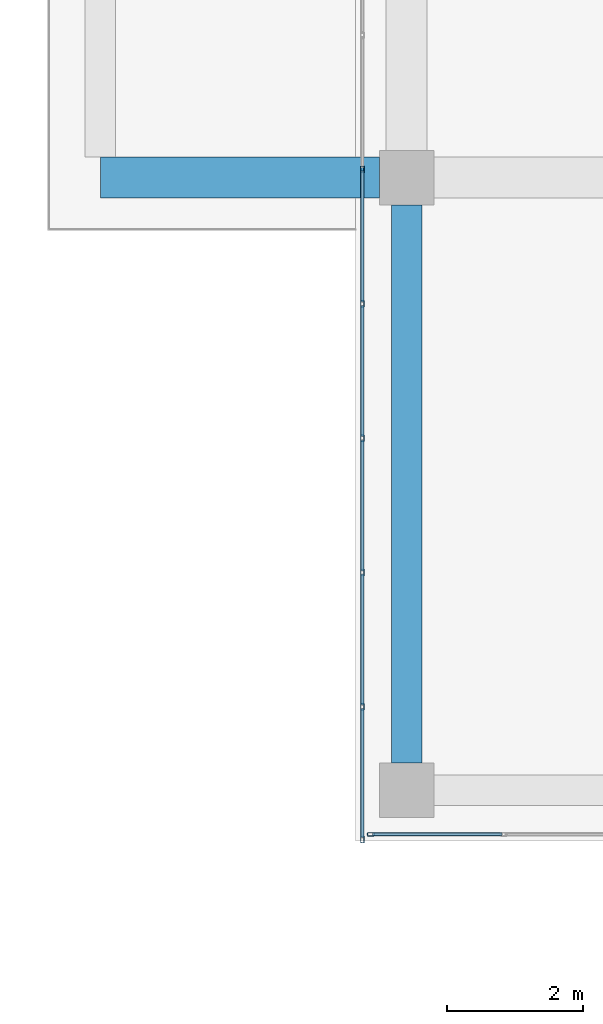
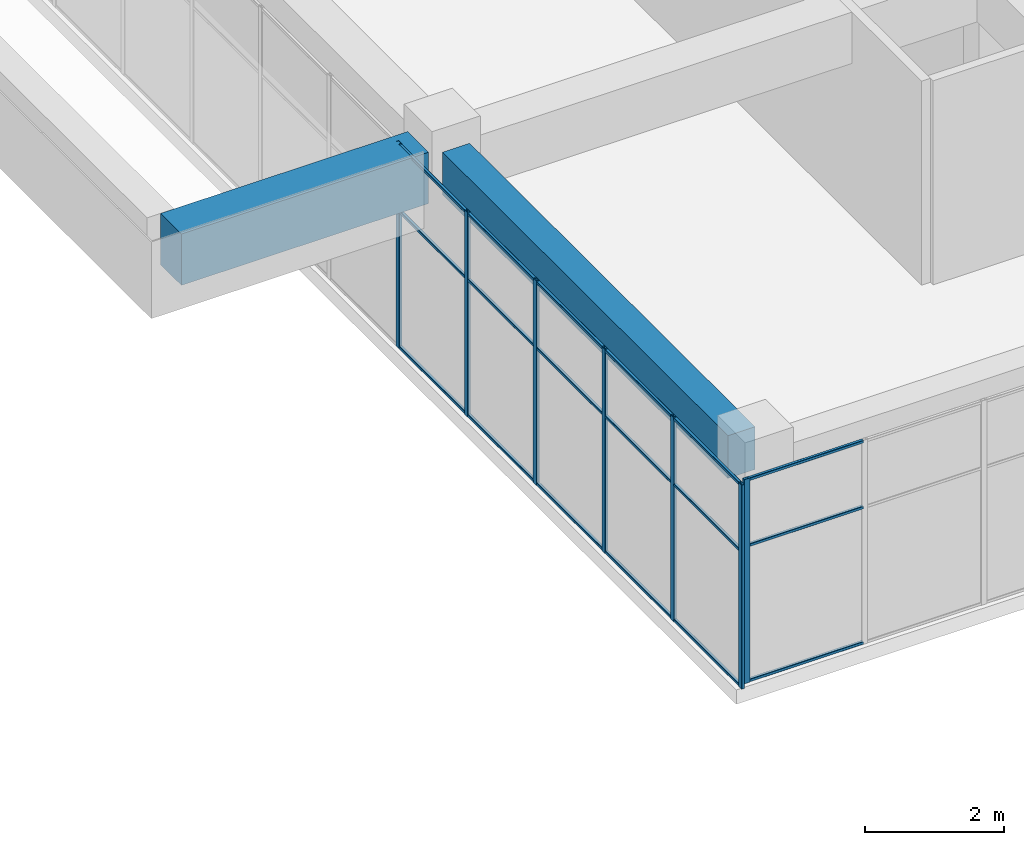
# One storey, part 13 of 52: 25 members, 2 beams, 2 elements without a shape of their own.
"""IFC4 building model written with IfcOpenShell, lengths in metres."""

from ifc_helpers import new_model, si_unit, direction, frame, origin, origin_2d, place, context, subcontext, project, spatial, rectangle, hollow_rectangle, extrude, material, layer, layer_set, material_profile, profile_set, type_object, element, aggregate, save


model = new_model("IFC4")

# Units and contexts
model_context = context("Model", 3, precision=1e-05, world=origin(), true_north=direction((0.0, 1.0)))
body_context = subcontext(model_context, "Body", "Model", "MODEL_VIEW")
ifc_project = project(units=[si_unit("LENGTHUNIT", "METRE"), si_unit("AREAUNIT", "SQUARE_METRE"), si_unit("VOLUMEUNIT", "CUBIC_METRE"), si_unit("PLANEANGLEUNIT", "RADIAN"), si_unit("MASSUNIT", "GRAM", prefix="KILO")], contexts=[model_context])

# Site, building, storey
site_placement = place(None, origin())
site = spatial("IfcSite", under=ifc_project, at=site_placement, CompositionType="ELEMENT")
building_placement = place(site_placement, origin())
building = spatial("IfcBuilding", under=site, at=building_placement, Name="Tuart Plaza Theatre", CompositionType="ELEMENT")
storey_placement = place(building_placement, frame((0.0, 0.0, 25.5)))
storey = spatial("IfcBuildingStorey", under=building, at=storey_placement, Name="L06", CompositionType="ELEMENT", Elevation=25.5)

# Beams
ifc_material_1 = material(Name="Concrete N40 (40 MPa)", Category="concrete")
ifc_material_profile_1 = material_profile(ifc_material_1, rectangle(XDim=0.449951171875, YDim=0.75, at=origin_2d()), Name="BEAM 450x750 Concrete N40 (40 MPa)")
ifc_profile_set_1 = profile_set([ifc_material_profile_1], Name="Concrete N40 (40 MPa)")
beam_type_1 = type_object("IfcBeamType", Name="BEAM 450x750 Concrete N40 (40 MPa)", PredefinedType="BEAM", material=ifc_profile_set_1)
beam_1_placement = place(storey_placement, frame((114.0, 56.39990234375, 3.205078125), z_axis=(0.0, 1.0, 0.0), x_axis=(-1.0, 0.0, 0.0)))
element("IfcBeam", 1, at=beam_1_placement, inside=storey, type_object=beam_type_1, Name="RB207", PredefinedType="BEAM", context=body_context, shape_type="SweptSolid", body=[
    extrude(rectangle(XDim=0.449951171875, YDim=0.75, at=origin_2d()), origin(), (0.0, 0.0, 1.0), 8.2001953125),
])
ifc_material_2 = material(Name="Concrete N40 (40 MPa)", Category="concrete")
ifc_material_profile_2 = material_profile(ifc_material_2, rectangle(XDim=0.60009765625, YDim=0.89990234375, at=origin_2d()), Name="BEAM 600x900 Concrete N40 (40 MPa)")
ifc_profile_set_2 = profile_set([ifc_material_profile_2], Name="Concrete N40 (40 MPa)")
beam_type_2 = type_object("IfcBeamType", Name="BEAM 600x900 Concrete N40 (40 MPa)", PredefinedType="BEAM", material=ifc_profile_set_2)
beam_2_placement = place(storey_placement, frame((109.5, 65.0, 3.1298828125), z_axis=(1.0, 0.0, 0.0), x_axis=(0.0, 1.0, 0.0)))
element("IfcBeam", 2, at=beam_2_placement, inside=storey, type_object=beam_type_2, Name="RB242", PredefinedType="BEAM", context=body_context, shape_type="SweptSolid", body=[
    extrude(rectangle(XDim=0.60009765625, YDim=0.89990234375, at=origin_2d()), origin(), (0.0, 0.0, 1.0), 4.10009765625),
])

# Curtain wall, members
ifc_material_3 = material(Name="Aluminium and glass", Category="aluminium")
ifc_layer = layer(ifc_material_3, 0.10009765625)
ifc_layer_set = layer_set([ifc_layer], Name="CURTAIN WALL 2000 module")
curtain_wall_type = type_object("IfcCurtainWallType", Name="CURTAIN WALL 2000 module", PredefinedType="NOTDEFINED", material=ifc_layer_set)
curtain_wall_1_placement = place(storey_placement, origin())
curtain_wall_1 = element("IfcCurtainWall", 3, at=curtain_wall_1_placement, inside=storey, type_object=curtain_wall_type, Name="CW86", PredefinedType="NOTDEFINED")
ifc_material_4 = material(Name="Aluminium 6063-T5", Category="aluminium")
ifc_material_profile_3 = material_profile(ifc_material_4, hollow_rectangle(XDim=0.050048828125, YDim=0.10009765625, WallThickness=0.00390625, InnerFilletRadius=0.00390625, OuterFilletRadius=0.008056640625, at=origin_2d()), Name="RHS 100x50x4")
ifc_profile_set_3 = profile_set([ifc_material_profile_3], Name="Aluminium 6063-T5")
member_type_1 = type_object("IfcMemberType", Name="MULLION RHS 100x50x4", PredefinedType="MULLION", material=ifc_profile_set_3)
member_1_placement = place(storey_placement, frame((113.35009765625, 65.118408203125, 0.0), z_axis=(0.0, 0.0, 1.0), x_axis=(1.0, 0.0, 0.0)))
member_1 = element("IfcMember", 4, at=member_1_placement, type_object=member_type_1, Name="CW86 mullion 15", PredefinedType="MULLION", context=body_context, shape_type="SweptSolid", body=[
    extrude(hollow_rectangle(XDim=0.050048828125, YDim=0.10009765625, WallThickness=0.00390625, InnerFilletRadius=0.00390625, OuterFilletRadius=0.008056640625, at=origin_2d()), origin(), (0.0, 0.0, 1.0), 3.580078125),
])
member_2_placement = place(storey_placement, frame((113.35009765625, 63.144775390625, 0.0), z_axis=(0.0, 0.0, 1.0), x_axis=(1.0, 0.0, 0.0)))
member_2 = element("IfcMember", 5, at=member_2_placement, type_object=member_type_1, Name="CW86 mullion 16", PredefinedType="MULLION", context=body_context, shape_type="SweptSolid", body=[
    extrude(hollow_rectangle(XDim=0.050048828125, YDim=0.10009765625, WallThickness=0.00390625, InnerFilletRadius=0.00390625, OuterFilletRadius=0.008056640625, at=origin_2d()), origin(), (0.0, 0.0, 1.0), 3.580078125),
])
member_3_placement = place(storey_placement, frame((113.35009765625, 61.171142578125, 0.0), z_axis=(0.0, 0.0, 1.0), x_axis=(1.0, 0.0, 0.0)))
member_3 = element("IfcMember", 6, at=member_3_placement, type_object=member_type_1, Name="CW86 mullion 17", PredefinedType="MULLION", context=body_context, shape_type="SweptSolid", body=[
    extrude(hollow_rectangle(XDim=0.050048828125, YDim=0.10009765625, WallThickness=0.00390625, InnerFilletRadius=0.00390625, OuterFilletRadius=0.008056640625, at=origin_2d()), origin(), (0.0, 0.0, 1.0), 3.580078125),
])
member_4_placement = place(storey_placement, frame((113.35009765625, 59.197265625, 0.0), z_axis=(0.0, 0.0, 1.0), x_axis=(1.0, 0.0, 0.0)))
member_4 = element("IfcMember", 7, at=member_4_placement, type_object=member_type_1, Name="CW86 mullion 18", PredefinedType="MULLION", context=body_context, shape_type="SweptSolid", body=[
    extrude(hollow_rectangle(XDim=0.050048828125, YDim=0.10009765625, WallThickness=0.00390625, InnerFilletRadius=0.00390625, OuterFilletRadius=0.008056640625, at=origin_2d()), origin(), (0.0, 0.0, 1.0), 3.580078125),
])
member_5_placement = place(storey_placement, frame((113.35009765625, 57.2236328125, 0.0), z_axis=(0.0, 0.0, 1.0), x_axis=(1.0, 0.0, 0.0)))
member_5 = element("IfcMember", 8, at=member_5_placement, type_object=member_type_1, Name="CW86 mullion 19", PredefinedType="MULLION", context=body_context, shape_type="SweptSolid", body=[
    extrude(hollow_rectangle(XDim=0.050048828125, YDim=0.10009765625, WallThickness=0.00390625, InnerFilletRadius=0.00390625, OuterFilletRadius=0.008056640625, at=origin_2d()), origin(), (0.0, 0.0, 1.0), 3.580078125),
])
member_6_placement = place(storey_placement, frame((113.35009765625, 55.27490234375, 0.0), z_axis=(0.0, 0.0, 1.0), x_axis=(1.0, 0.0, 0.0)))
member_6 = element("IfcMember", 9, at=member_6_placement, type_object=member_type_1, Name="CW86 mullion 20", PredefinedType="MULLION", context=body_context, shape_type="SweptSolid", body=[
    extrude(hollow_rectangle(XDim=0.050048828125, YDim=0.10009765625, WallThickness=0.00390625, InnerFilletRadius=0.00390625, OuterFilletRadius=0.008056640625, at=origin_2d()), origin(), (0.0, 0.0, 1.0), 3.580078125),
])

# Curtain wall, member
curtain_wall_2_placement = place(storey_placement, origin())
curtain_wall_2 = element("IfcCurtainWall", 10, at=curtain_wall_2_placement, inside=storey, type_object=curtain_wall_type, Name="CW87", PredefinedType="NOTDEFINED")
member_7_placement = place(storey_placement, frame((113.47509765625, 55.35009765625, 0.0), z_axis=(0.0, 0.0, 1.0), x_axis=(0.0, 1.0, 0.0)))
member_7 = element("IfcMember", 11, at=member_7_placement, type_object=member_type_1, Name="CW87 mullion 1", PredefinedType="MULLION", context=body_context, shape_type="SweptSolid", body=[
    extrude(hollow_rectangle(XDim=0.050048828125, YDim=0.10009765625, WallThickness=0.00390625, InnerFilletRadius=0.00390625, OuterFilletRadius=0.008056640625, at=origin_2d()), origin(), (0.0, 0.0, 1.0), 3.580078125),
])

# Member
ifc_material_5 = material(Name="Aluminium 6063-T5", Category="aluminium")
ifc_material_profile_4 = material_profile(ifc_material_5, hollow_rectangle(XDim=0.050048828125, YDim=0.050048828125, WallThickness=0.00390625, InnerFilletRadius=0.00390625, OuterFilletRadius=0.008056640625, at=origin_2d()), Name="RHS 50x50x4")
ifc_profile_set_4 = profile_set([ifc_material_profile_4], Name="Aluminium 6063-T5")
member_type_2 = type_object("IfcMemberType", Name="TRANSOM RHS 50x50x4", PredefinedType="USERDEFINED", material=ifc_profile_set_4)
member_8_placement = place(storey_placement, frame((113.35009765625, 65.093505859375, 0.02490234375), z_axis=(0.0, -1.0, 0.0), x_axis=(1.0, 0.0, 0.0)))
member_8 = element("IfcMember", 12, at=member_8_placement, type_object=member_type_2, Name="CW86 transom 15.1", ObjectType="TRANSOM", PredefinedType="USERDEFINED", context=body_context, shape_type="SweptSolid", body=[
    extrude(hollow_rectangle(XDim=0.050048828125, YDim=0.050048828125, WallThickness=0.00390625, InnerFilletRadius=0.00390625, OuterFilletRadius=0.008056640625, at=origin_2d()), origin(), (0.0, 0.0, 1.0), 1.923828125),
])

member_9_placement = place(storey_placement, frame((113.35009765625, 65.093505859375, 2.39990234375), z_axis=(0.0, -1.0, 0.0), x_axis=(1.0, 0.0, 0.0)))
member_9 = element("IfcMember", 13, at=member_9_placement, type_object=member_type_2, Name="CW86 transom 15.2", ObjectType="TRANSOM", PredefinedType="USERDEFINED", context=body_context, shape_type="SweptSolid", body=[
    extrude(hollow_rectangle(XDim=0.050048828125, YDim=0.050048828125, WallThickness=0.00390625, InnerFilletRadius=0.00390625, OuterFilletRadius=0.008056640625, at=origin_2d()), origin(), (0.0, 0.0, 1.0), 1.923828125),
])

member_10_placement = place(storey_placement, frame((113.35009765625, 65.093505859375, 3.554931640625), z_axis=(0.0, -1.0, 0.0), x_axis=(1.0, 0.0, 0.0)))
member_10 = element("IfcMember", 14, at=member_10_placement, type_object=member_type_2, Name="CW86 transom 15.3", ObjectType="TRANSOM", PredefinedType="USERDEFINED", context=body_context, shape_type="SweptSolid", body=[
    extrude(hollow_rectangle(XDim=0.050048828125, YDim=0.050048828125, WallThickness=0.00390625, InnerFilletRadius=0.00390625, OuterFilletRadius=0.008056640625, at=origin_2d()), origin(), (0.0, 0.0, 1.0), 1.923828125),
])

member_11_placement = place(storey_placement, frame((113.35009765625, 63.11962890625, 0.02490234375), z_axis=(0.0, -1.0, 0.0), x_axis=(1.0, 0.0, 0.0)))
member_11 = element("IfcMember", 15, at=member_11_placement, type_object=member_type_2, Name="CW86 transom 16.1", ObjectType="TRANSOM", PredefinedType="USERDEFINED", context=body_context, shape_type="SweptSolid", body=[
    extrude(hollow_rectangle(XDim=0.050048828125, YDim=0.050048828125, WallThickness=0.00390625, InnerFilletRadius=0.00390625, OuterFilletRadius=0.008056640625, at=origin_2d()), origin(), (0.0, 0.0, 1.0), 1.923583984375),
])

member_12_placement = place(storey_placement, frame((113.35009765625, 63.11962890625, 2.39990234375), z_axis=(0.0, -1.0, 0.0), x_axis=(1.0, 0.0, 0.0)))
member_12 = element("IfcMember", 16, at=member_12_placement, type_object=member_type_2, Name="CW86 transom 16.2", ObjectType="TRANSOM", PredefinedType="USERDEFINED", context=body_context, shape_type="SweptSolid", body=[
    extrude(hollow_rectangle(XDim=0.050048828125, YDim=0.050048828125, WallThickness=0.00390625, InnerFilletRadius=0.00390625, OuterFilletRadius=0.008056640625, at=origin_2d()), origin(), (0.0, 0.0, 1.0), 1.923583984375),
])

member_13_placement = place(storey_placement, frame((113.35009765625, 63.11962890625, 3.554931640625), z_axis=(0.0, -1.0, 0.0), x_axis=(1.0, 0.0, 0.0)))
member_13 = element("IfcMember", 17, at=member_13_placement, type_object=member_type_2, Name="CW86 transom 16.3", ObjectType="TRANSOM", PredefinedType="USERDEFINED", context=body_context, shape_type="SweptSolid", body=[
    extrude(hollow_rectangle(XDim=0.050048828125, YDim=0.050048828125, WallThickness=0.00390625, InnerFilletRadius=0.00390625, OuterFilletRadius=0.008056640625, at=origin_2d()), origin(), (0.0, 0.0, 1.0), 1.923583984375),
])

member_14_placement = place(storey_placement, frame((113.35009765625, 61.14599609375, 0.02490234375), z_axis=(0.0, -1.0, 0.0), x_axis=(1.0, 0.0, 0.0)))
member_14 = element("IfcMember", 18, at=member_14_placement, type_object=member_type_2, Name="CW86 transom 17.1", ObjectType="TRANSOM", PredefinedType="USERDEFINED", context=body_context, shape_type="SweptSolid", body=[
    extrude(hollow_rectangle(XDim=0.050048828125, YDim=0.050048828125, WallThickness=0.00390625, InnerFilletRadius=0.00390625, OuterFilletRadius=0.008056640625, at=origin_2d()), origin(), (0.0, 0.0, 1.0), 1.923583984375),
])

member_15_placement = place(storey_placement, frame((113.35009765625, 61.14599609375, 2.39990234375), z_axis=(0.0, -1.0, 0.0), x_axis=(1.0, 0.0, 0.0)))
member_15 = element("IfcMember", 19, at=member_15_placement, type_object=member_type_2, Name="CW86 transom 17.2", ObjectType="TRANSOM", PredefinedType="USERDEFINED", context=body_context, shape_type="SweptSolid", body=[
    extrude(hollow_rectangle(XDim=0.050048828125, YDim=0.050048828125, WallThickness=0.00390625, InnerFilletRadius=0.00390625, OuterFilletRadius=0.008056640625, at=origin_2d()), origin(), (0.0, 0.0, 1.0), 1.923583984375),
])

member_16_placement = place(storey_placement, frame((113.35009765625, 61.14599609375, 3.554931640625), z_axis=(0.0, -1.0, 0.0), x_axis=(1.0, 0.0, 0.0)))
member_16 = element("IfcMember", 20, at=member_16_placement, type_object=member_type_2, Name="CW86 transom 17.3", ObjectType="TRANSOM", PredefinedType="USERDEFINED", context=body_context, shape_type="SweptSolid", body=[
    extrude(hollow_rectangle(XDim=0.050048828125, YDim=0.050048828125, WallThickness=0.00390625, InnerFilletRadius=0.00390625, OuterFilletRadius=0.008056640625, at=origin_2d()), origin(), (0.0, 0.0, 1.0), 1.923583984375),
])

member_17_placement = place(storey_placement, frame((113.35009765625, 59.17236328125, 0.02490234375), z_axis=(0.0, -1.0, 0.0), x_axis=(1.0, 0.0, 0.0)))
member_17 = element("IfcMember", 21, at=member_17_placement, type_object=member_type_2, Name="CW86 transom 18.1", ObjectType="TRANSOM", PredefinedType="USERDEFINED", context=body_context, shape_type="SweptSolid", body=[
    extrude(hollow_rectangle(XDim=0.050048828125, YDim=0.050048828125, WallThickness=0.00390625, InnerFilletRadius=0.00390625, OuterFilletRadius=0.008056640625, at=origin_2d()), origin(), (0.0, 0.0, 1.0), 1.923583984375),
])

member_18_placement = place(storey_placement, frame((113.35009765625, 59.17236328125, 2.39990234375), z_axis=(0.0, -1.0, 0.0), x_axis=(1.0, 0.0, 0.0)))
member_18 = element("IfcMember", 22, at=member_18_placement, type_object=member_type_2, Name="CW86 transom 18.2", ObjectType="TRANSOM", PredefinedType="USERDEFINED", context=body_context, shape_type="SweptSolid", body=[
    extrude(hollow_rectangle(XDim=0.050048828125, YDim=0.050048828125, WallThickness=0.00390625, InnerFilletRadius=0.00390625, OuterFilletRadius=0.008056640625, at=origin_2d()), origin(), (0.0, 0.0, 1.0), 1.923583984375),
])

member_19_placement = place(storey_placement, frame((113.35009765625, 59.17236328125, 3.554931640625), z_axis=(0.0, -1.0, 0.0), x_axis=(1.0, 0.0, 0.0)))
member_19 = element("IfcMember", 23, at=member_19_placement, type_object=member_type_2, Name="CW86 transom 18.3", ObjectType="TRANSOM", PredefinedType="USERDEFINED", context=body_context, shape_type="SweptSolid", body=[
    extrude(hollow_rectangle(XDim=0.050048828125, YDim=0.050048828125, WallThickness=0.00390625, InnerFilletRadius=0.00390625, OuterFilletRadius=0.008056640625, at=origin_2d()), origin(), (0.0, 0.0, 1.0), 1.923583984375),
])

member_20_placement = place(storey_placement, frame((113.35009765625, 57.19873046875, 0.02490234375), z_axis=(0.0, -1.0, 0.0), x_axis=(1.0, 0.0, 0.0)))
member_20 = element("IfcMember", 24, at=member_20_placement, type_object=member_type_2, Name="CW86 transom 19.1", ObjectType="TRANSOM", PredefinedType="USERDEFINED", context=body_context, shape_type="SweptSolid", body=[
    extrude(hollow_rectangle(XDim=0.050048828125, YDim=0.050048828125, WallThickness=0.00390625, InnerFilletRadius=0.00390625, OuterFilletRadius=0.008056640625, at=origin_2d()), origin(), (0.0, 0.0, 1.0), 1.898681640625),
])

member_21_placement = place(storey_placement, frame((113.35009765625, 57.19873046875, 2.39990234375), z_axis=(0.0, -1.0, 0.0), x_axis=(1.0, 0.0, 0.0)))
member_21 = element("IfcMember", 25, at=member_21_placement, type_object=member_type_2, Name="CW86 transom 19.2", ObjectType="TRANSOM", PredefinedType="USERDEFINED", context=body_context, shape_type="SweptSolid", body=[
    extrude(hollow_rectangle(XDim=0.050048828125, YDim=0.050048828125, WallThickness=0.00390625, InnerFilletRadius=0.00390625, OuterFilletRadius=0.008056640625, at=origin_2d()), origin(), (0.0, 0.0, 1.0), 1.898681640625),
])

member_22_placement = place(storey_placement, frame((113.35009765625, 57.19873046875, 3.554931640625), z_axis=(0.0, -1.0, 0.0), x_axis=(1.0, 0.0, 0.0)))
member_22 = element("IfcMember", 26, at=member_22_placement, type_object=member_type_2, Name="CW86 transom 19.3", ObjectType="TRANSOM", PredefinedType="USERDEFINED", context=body_context, shape_type="SweptSolid", body=[
    extrude(hollow_rectangle(XDim=0.050048828125, YDim=0.050048828125, WallThickness=0.00390625, InnerFilletRadius=0.00390625, OuterFilletRadius=0.008056640625, at=origin_2d()), origin(), (0.0, 0.0, 1.0), 1.898681640625),
])

aggregate(curtain_wall_1, [member_1, member_2, member_3, member_4, member_5, member_6, member_8, member_9, member_10, member_11, member_12, member_13, member_14, member_15, member_16, member_17, member_18, member_19, member_20, member_21, member_22])

member_23_placement = place(storey_placement, frame((113.5, 55.35009765625, 0.02490234375), z_axis=(1.0, 0.0, 0.0), x_axis=(0.0, 1.0, 0.0)))
member_23 = element("IfcMember", 27, at=member_23_placement, type_object=member_type_2, Name="CW87 transom 1.1", ObjectType="TRANSOM", PredefinedType="USERDEFINED", context=body_context, shape_type="SweptSolid", body=[
    extrude(hollow_rectangle(XDim=0.050048828125, YDim=0.050048828125, WallThickness=0.00390625, InnerFilletRadius=0.00390625, OuterFilletRadius=0.008056640625, at=origin_2d()), origin(), (0.0, 0.0, 1.0), 1.90283203125),
])

member_24_placement = place(storey_placement, frame((113.5, 55.35009765625, 2.39990234375), z_axis=(1.0, 0.0, 0.0), x_axis=(0.0, 1.0, 0.0)))
member_24 = element("IfcMember", 28, at=member_24_placement, type_object=member_type_2, Name="CW87 transom 1.2", ObjectType="TRANSOM", PredefinedType="USERDEFINED", context=body_context, shape_type="SweptSolid", body=[
    extrude(hollow_rectangle(XDim=0.050048828125, YDim=0.050048828125, WallThickness=0.00390625, InnerFilletRadius=0.00390625, OuterFilletRadius=0.008056640625, at=origin_2d()), origin(), (0.0, 0.0, 1.0), 1.90283203125),
])

member_25_placement = place(storey_placement, frame((113.5, 55.35009765625, 3.554931640625), z_axis=(1.0, 0.0, 0.0), x_axis=(0.0, 1.0, 0.0)))
member_25 = element("IfcMember", 29, at=member_25_placement, type_object=member_type_2, Name="CW87 transom 1.3", ObjectType="TRANSOM", PredefinedType="USERDEFINED", context=body_context, shape_type="SweptSolid", body=[
    extrude(hollow_rectangle(XDim=0.050048828125, YDim=0.050048828125, WallThickness=0.00390625, InnerFilletRadius=0.00390625, OuterFilletRadius=0.008056640625, at=origin_2d()), origin(), (0.0, 0.0, 1.0), 1.90283203125),
])

aggregate(curtain_wall_2, [member_7, member_23, member_24, member_25])

save(model, "model.ifc")
